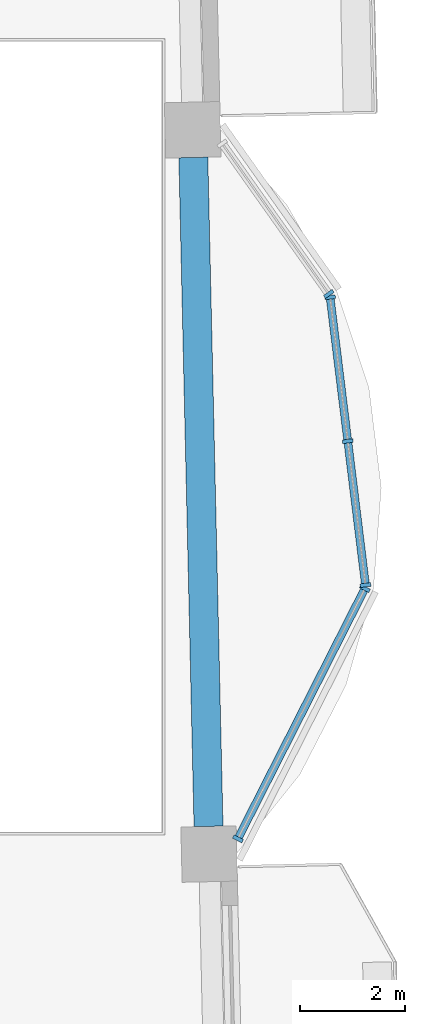
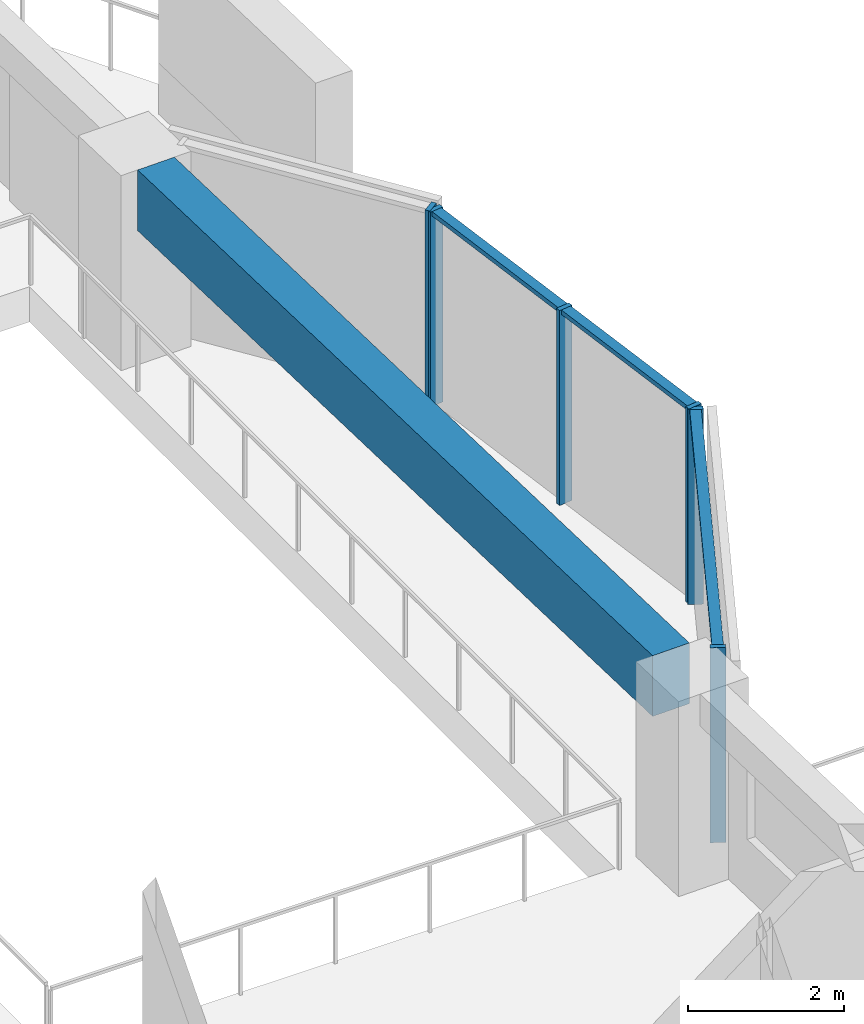
# One storey, part 2 of 17: 9 members, 1 beam, 3 elements without a shape of their own.
"""IFC4 building model written with IfcOpenShell, lengths in metres."""

from ifc_helpers import new_model, si_unit, direction, frame, origin, origin_2d, place, context, subcontext, project, spatial, rectangle, extrude, material, material_profile, profile_set, type_object, element, aggregate, save


model = new_model("IFC4")

# Units and contexts
model_context = context("Model", 3, precision=1e-05, world=origin(), true_north=direction((0.0, 1.0)))
body_context = subcontext(model_context, "Body", "Model", "MODEL_VIEW")
ifc_project = project(units=[si_unit("LENGTHUNIT", "METRE"), si_unit("AREAUNIT", "SQUARE_METRE"), si_unit("VOLUMEUNIT", "CUBIC_METRE"), si_unit("PLANEANGLEUNIT", "RADIAN"), si_unit("MASSUNIT", "GRAM", prefix="KILO")], contexts=[model_context])

# Site, building, storey
site_placement = place(None, origin())
site = spatial("IfcSite", under=ifc_project, at=site_placement, CompositionType="ELEMENT")
building_placement = place(site_placement, origin())
building = spatial("IfcBuilding", under=site, at=building_placement, Name="Mangrove Gate Tower", CompositionType="ELEMENT")
storey_placement = place(building_placement, frame((0.0, 0.0, 241.89990234375)))
storey = spatial("IfcBuildingStorey", under=building, at=storey_placement, Name="L61", CompositionType="ELEMENT", Elevation=241.89990234375)

# Curtain wall, members
ifc_material_1 = material(Name="Aluminium and glass curtain wall", Category="aluminium")
curtain_wall_type = type_object("IfcCurtainWallType", Name="Atrium garden-court glazing wall", PredefinedType="NOTDEFINED", material=ifc_material_1)
curtain_wall_1_placement = place(storey_placement, origin())
curtain_wall_1 = element("IfcCurtainWall", 1, at=curtain_wall_1_placement, inside=storey, type_object=curtain_wall_type, Name="Atrium garden-court glazing E1f1", PredefinedType="NOTDEFINED")
ifc_material_2 = material(Name="Aluminium alloy 6063-T6", Category="aluminium")
ifc_material_profile_1 = material_profile(ifc_material_2, rectangle(XDim=0.070068359375, YDim=0.199951171875, at=origin_2d()))
ifc_profile_set_1 = profile_set([ifc_material_profile_1], Name="Aluminium alloy 6063-T6")
member_type_1 = type_object("IfcMemberType", Name="Atrium garden-court glazing mullion 70x200", PredefinedType="MULLION", material=ifc_profile_set_1)
member_1_placement = place(storey_placement, frame((25.67333984375, -7.632080078125, 0.0), z_axis=(0.0, 0.0, 1.0), x_axis=(0.452597795636, 0.891714772439, 0.0)))
member_1 = element("IfcMember", 2, at=member_1_placement, type_object=member_type_1, Name="CWA mullion 1", PredefinedType="MULLION", context=body_context, shape_type="SweptSolid", body=[
    extrude(rectangle(XDim=0.070068359375, YDim=0.199951171875, at=origin_2d()), origin(), (0.0, 0.0, 1.0), 3.050048828125),
])
member_2_placement = place(storey_placement, frame((28.084716796875, -2.881103515625, 0.0), z_axis=(0.0, 0.0, 1.0), x_axis=(0.452597795636, 0.891714772439, 0.0)))
member_2 = element("IfcMember", 3, at=member_2_placement, type_object=member_type_1, Name="CWA mullion 2", PredefinedType="MULLION", context=body_context, shape_type="SweptSolid", body=[
    extrude(rectangle(XDim=0.070068359375, YDim=0.199951171875, at=origin_2d()), origin(), (0.0, 0.0, 1.0), 3.050048828125),
])

curtain_wall_2_placement = place(storey_placement, origin())
curtain_wall_2 = element("IfcCurtainWall", 4, at=curtain_wall_2_placement, inside=storey, type_object=curtain_wall_type, Name="Atrium garden-court glazing E1f2", PredefinedType="NOTDEFINED")
member_3_placement = place(storey_placement, frame((28.09619140625, -2.815185546875, 0.0), z_axis=(0.0, 0.0, 1.0), x_axis=(-0.122172285885, 0.992508908051, 0.0)))
member_3 = element("IfcMember", 5, at=member_3_placement, type_object=member_type_1, Name="CWA mullion 1", PredefinedType="MULLION", context=body_context, shape_type="SweptSolid", body=[
    extrude(rectangle(XDim=0.070068359375, YDim=0.199951171875, at=origin_2d()), origin(), (0.0, 0.0, 1.0), 3.050048828125),
])
member_4_placement = place(storey_placement, frame((27.760009765625, -0.083984375, 0.0), z_axis=(0.0, 0.0, 1.0), x_axis=(-0.122172285885, 0.992508908051, 0.0)))
member_4 = element("IfcMember", 6, at=member_4_placement, type_object=member_type_1, Name="CWA mullion 2", PredefinedType="MULLION", context=body_context, shape_type="SweptSolid", body=[
    extrude(rectangle(XDim=0.070068359375, YDim=0.199951171875, at=origin_2d()), origin(), (0.0, 0.0, 1.0), 3.050048828125),
])
member_5_placement = place(storey_placement, frame((27.423828125, 2.647216796875, 0.0), z_axis=(0.0, 0.0, 1.0), x_axis=(-0.122172285885, 0.992508908051, 0.0)))
member_5 = element("IfcMember", 7, at=member_5_placement, type_object=member_type_1, Name="CWA mullion 3", PredefinedType="MULLION", context=body_context, shape_type="SweptSolid", body=[
    extrude(rectangle(XDim=0.070068359375, YDim=0.199951171875, at=origin_2d()), origin(), (0.0, 0.0, 1.0), 3.050048828125),
])

# Curtain wall, member
curtain_wall_3_placement = place(storey_placement, origin())
curtain_wall_3 = element("IfcCurtainWall", 8, at=curtain_wall_3_placement, inside=storey, type_object=curtain_wall_type, Name="Atrium garden-court glazing E1f3", PredefinedType="NOTDEFINED")
member_6_placement = place(storey_placement, frame((27.3994140625, 2.71044921875, 0.0), z_axis=(0.0, 0.0, 1.0), x_axis=(-0.578120908245, 0.815951110944, 0.0)))
member_6 = element("IfcMember", 9, at=member_6_placement, type_object=member_type_1, Name="CWA mullion 1", PredefinedType="MULLION", context=body_context, shape_type="SweptSolid", body=[
    extrude(rectangle(XDim=0.070068359375, YDim=0.199951171875, at=origin_2d()), origin(), (0.0, 0.0, 1.0), 3.050048828125),
])
aggregate(curtain_wall_3, [member_6])

# Member
ifc_material_3 = material(Name="Aluminium alloy 6063-T6", Category="aluminium")
ifc_material_profile_2 = material_profile(ifc_material_3, rectangle(XDim=0.070068359375, YDim=0.14990234375, at=origin_2d()))
ifc_profile_set_2 = profile_set([ifc_material_profile_2], Name="Aluminium alloy 6063-T6")
member_type_2 = type_object("IfcMemberType", Name="Atrium garden-court glazing transom 70x150", PredefinedType="USERDEFINED", material=ifc_profile_set_2)
member_7_placement = place(storey_placement, frame((25.689208984375, -7.600830078125, 3.01513671875), z_axis=(0.452591825712, 0.891717802502, 0.0), x_axis=(0.0, 0.0, 1.0)))
member_7 = element("IfcMember", 10, at=member_7_placement, type_object=member_type_2, Name="CWA transom 1.2", ObjectType="TRANSOM", PredefinedType="USERDEFINED", context=body_context, shape_type="SweptSolid", body=[
    extrude(rectangle(XDim=0.070068359375, YDim=0.14990234375, at=origin_2d()), origin(), (0.0, 0.0, 1.0), 5.2578125),
])

aggregate(curtain_wall_1, [member_1, member_2, member_7])

member_8_placement = place(storey_placement, frame((28.092041015625, -2.7802734375, 3.01513671875), z_axis=(-0.122174517154, 0.992508633392, 0.0), x_axis=(0.0, 0.0, 1.0)))
member_8 = element("IfcMember", 11, at=member_8_placement, type_object=member_type_2, Name="CWA transom 1.2", ObjectType="TRANSOM", PredefinedType="USERDEFINED", context=body_context, shape_type="SweptSolid", body=[
    extrude(rectangle(XDim=0.070068359375, YDim=0.14990234375, at=origin_2d()), origin(), (0.0, 0.0, 1.0), 2.681640625),
])

member_9_placement = place(storey_placement, frame((27.755859375, -0.04931640625, 3.01513671875), z_axis=(-0.122174517154, 0.992508633392, 0.0), x_axis=(0.0, 0.0, 1.0)))
member_9 = element("IfcMember", 12, at=member_9_placement, type_object=member_type_2, Name="CWA transom 2.2", ObjectType="TRANSOM", PredefinedType="USERDEFINED", context=body_context, shape_type="SweptSolid", body=[
    extrude(rectangle(XDim=0.070068359375, YDim=0.14990234375, at=origin_2d()), origin(), (0.0, 0.0, 1.0), 2.681640625),
])

aggregate(curtain_wall_2, [member_3, member_4, member_5, member_8, member_9])

# Beam
ifc_material_4 = material(Name="Concrete C50/60", Category="concrete")
ifc_material_profile_3 = material_profile(ifc_material_4, rectangle(XDim=0.550048828125, YDim=0.949951171875, at=origin_2d()))
ifc_profile_set_3 = profile_set([ifc_material_profile_3], Name="Concrete C50/60")
beam_type = type_object("IfcBeamType", Name="Edge beam RC 550x950 C50/60", PredefinedType="BEAM", material=ifc_profile_set_3)
beam_placement = place(storey_placement, frame((25.1162109375, -7.39599609375, 2.5751953125), z_axis=(-0.022682979457, 0.999742708122, 0.0), x_axis=(-0.999742708122, -0.022682979457, 0.0)))
element("IfcBeam", 13, at=beam_placement, inside=storey, type_object=beam_type, Name="Edge beam L61 14", PredefinedType="BEAM", context=body_context, shape_type="SweptSolid", body=[
    extrude(rectangle(XDim=0.550048828125, YDim=0.949951171875, at=origin_2d()), origin(), (0.0, 0.0, 1.0), 12.700439453125),
])

save(model, "model.ifc")
